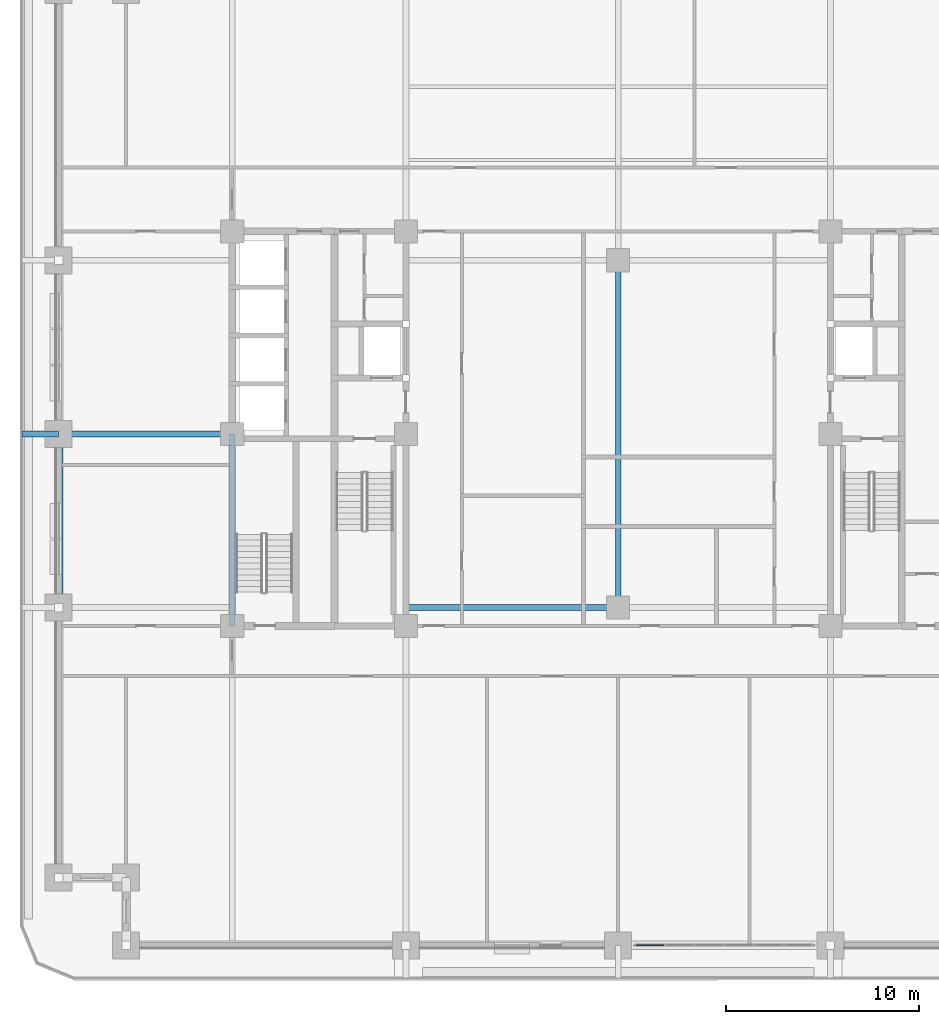
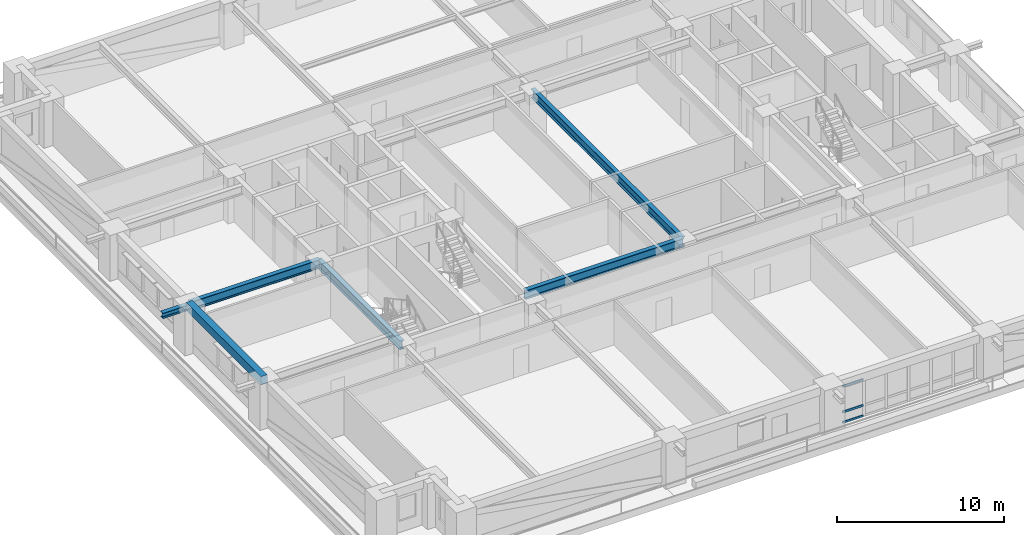
# One storey, part 3 of 20: 6 beams, 3 members, 1 element without a shape of its own.
"""IFC4 building model written with IfcOpenShell, lengths in metres."""

import ifcopenshell
import ifcopenshell.guid

model = None  # the IFC model being written
_history = None  # IfcOwnerHistory: only IFC2X3 demands one
_inside = {}  # id of a spatial element -> (the spatial element, [elements in it])
_under = {}  # id of a project, library or spatial element -> (it, [spatial elements below it])
_declared = {}  # id of a project -> (the project, [libraries it declares])
_typed = {}  # id of a type object -> (the type object, [elements of that type])
_made_of = {}  # id of a material, layer set ... -> (it, [elements and type objects made of it])


def new_model(schema):
    """Start an empty IFC model of exactly this schema.

    Asked for "IFC4X3", IfcOpenShell would pick the latest addendum, in which some entities
    have other attributes; the version numbers below select the first issue.
    IFC2X3 requires an IfcOwnerHistory on every rooted entity: one is made here for all.
    """
    global model, _history
    if schema == "IFC4X3":
        model = ifcopenshell.file(schema_version=(4, 3, 0, 0))
    else:
        model = ifcopenshell.file(schema=schema)
    _inside.clear()
    _under.clear()
    _declared.clear()
    _typed.clear()
    _made_of.clear()
    _history = None
    if model.schema == "IFC2X3":
        org = make("IfcOrganization", Name="unknown")
        user = make(
            "IfcPersonAndOrganization",
            ThePerson=make("IfcPerson", FamilyName="unknown"),
            TheOrganization=org,
        )
        app = make(
            "IfcApplication",
            ApplicationDeveloper=org,
            Version="unknown",
            ApplicationFullName="unknown",
            ApplicationIdentifier="unknown",
        )
        _history = make(
            "IfcOwnerHistory",
            OwningUser=user,
            OwningApplication=app,
            ChangeAction="ADDED",
            CreationDate=0,
        )
    return model


def make(cls, **values):
    """One entity of the class cls with the attributes given. An attribute that is None is left unset."""
    return model.create_entity(
        cls, **{name: value for name, value in values.items() if value is not None}
    )


def rooted(cls, **values):
    """An entity with a GlobalId (a new one), such as an element, a storey or a relation."""
    return make(cls, GlobalId=ifcopenshell.guid.new(), OwnerHistory=_history, **values)


def si_unit(unit_type, name, prefix=None):
    """IfcSIUnit, for example si_unit("LENGTHUNIT", "METRE", prefix="MILLI")."""
    return make("IfcSIUnit", UnitType=unit_type, Prefix=prefix, Name=name)


def assignment(units):
    """IfcUnitAssignment: the units of a project."""
    return None if units is None else make("IfcUnitAssignment", Units=units)


def point(xyz):
    """IfcCartesianPoint."""
    return None if xyz is None else make("IfcCartesianPoint", Coordinates=xyz)


def direction(xyz):
    """IfcDirection."""
    return None if xyz is None else make("IfcDirection", DirectionRatios=xyz)


def frame(location, z_axis=None, x_axis=None):
    """IfcAxis2Placement3D, a coordinate frame: its origin and axes. An axis left out is left unset."""
    return make(
        "IfcAxis2Placement3D",
        Location=point(location),
        Axis=direction(z_axis),
        RefDirection=direction(x_axis),
    )


def frame_2d(location, x_axis=None):
    """IfcAxis2Placement2D, a coordinate frame in the plane: its origin and x axis."""
    return make(
        "IfcAxis2Placement2D", Location=point(location), RefDirection=direction(x_axis)
    )


def origin():
    """The frame at (0, 0, 0) with its axes left unset."""
    return frame((0.0, 0.0, 0.0))


def origin_2d():
    """The frame at (0, 0) in the plane with its x axis left unset."""
    return frame_2d((0.0, 0.0))


def place(relative_to, where):
    """IfcLocalPlacement: puts the frame where relative to a parent placement (None: the world)."""
    return make(
        "IfcLocalPlacement", PlacementRelTo=relative_to, RelativePlacement=where
    )


def context(
    kind, dimensions, precision=None, world=None, true_north=None, identifier=None
):
    """IfcGeometricRepresentationContext, for example the 3D "Model" context."""
    return make(
        "IfcGeometricRepresentationContext",
        ContextIdentifier=identifier,
        ContextType=kind,
        CoordinateSpaceDimension=dimensions,
        Precision=precision,
        WorldCoordinateSystem=world,
        TrueNorth=true_north,
    )


def subcontext(parent, identifier, kind, view, scale=None):
    """IfcGeometricRepresentationSubContext, for example "Body" below "Model"."""
    return make(
        "IfcGeometricRepresentationSubContext",
        ContextIdentifier=identifier,
        ContextType=kind,
        ParentContext=parent,
        TargetScale=scale,
        TargetView=view,
    )


def project(units=None, contexts=None):
    """IfcProject with its units and contexts."""
    return rooted(
        "IfcProject",
        Name="project",
        RepresentationContexts=contexts,
        UnitsInContext=assignment(units),
    )


def spatial(cls, under=None, at=None, **own):
    """A site, building, storey or space (cls), placed at a placement, below another one or the project."""
    s = rooted(cls, ObjectPlacement=at, **own)
    if under is not None:
        _under.setdefault(under.id(), (under, []))[1].append(s)
    return s


def profile(cls, at=None, kind="AREA", **sizes):
    """A parametric profile (cls). Its sizes go by their IFC names, for example OverallWidth=200.0."""
    return make(cls, ProfileType=kind, Position=at, **sizes)


def rectangle(**sizes):
    """IfcRectangleProfileDef."""
    return profile("IfcRectangleProfileDef", **sizes)


def i_section(**sizes):
    """IfcIShapeProfileDef."""
    return profile("IfcIShapeProfileDef", **sizes)


def extrude(swept, where, along, depth):
    """IfcExtrudedAreaSolid: the profile swept, set in the frame where, extruded along a direction by depth."""
    return make(
        "IfcExtrudedAreaSolid",
        SweptArea=swept,
        Position=where,
        ExtrudedDirection=direction(along),
        Depth=depth,
    )


def shape(context_of_items, identifier, shape_type, items):
    """IfcShapeRepresentation: the items that make up one representation, for example the "Body"."""
    return make(
        "IfcShapeRepresentation",
        ContextOfItems=context_of_items,
        RepresentationIdentifier=identifier,
        RepresentationType=shape_type,
        Items=items,
    )


def material(Name=None, Category=None):
    """IfcMaterial."""
    return make("IfcMaterial", Name=Name, Category=Category)


def material_profile(
    of_material, cross_section, Name=None, Category=None, Priority=None
):
    """IfcMaterialProfile: a cross section and its material."""
    return make(
        "IfcMaterialProfile",
        Name=Name,
        Material=of_material,
        Profile=cross_section,
        Priority=Priority,
        Category=Category,
    )


def profile_set(profiles, Name=None, composite=None):
    """IfcMaterialProfileSet."""
    return make(
        "IfcMaterialProfileSet",
        Name=Name,
        MaterialProfiles=profiles,
        CompositeProfile=composite,
    )


def made_of(thing, what):
    """Note that an element or type object is made of a material, layer set ...; save() writes the relation."""
    if what is not None:
        _made_of.setdefault(what.id(), (what, []))[1].append(thing)
    return thing


def type_object(cls, material=None, **own):
    """A type object (cls), such as IfcWallType, which elements share."""
    return made_of(rooted(cls, **own), material)


def element(
    cls,
    number,
    at=None,
    inside=None,
    cuts=None,
    type_object=None,
    material=None,
    context=None,
    identifier="Body",
    shape_type=None,
    held_by="IfcProductDefinitionShape",
    body=None,
    shapes=None,
    **own,
):
    """One element of the class cls, such as IfcWall. Its Tag is "e" and its number.

    at: its placement. inside: the storey or other place that contains it. cuts: it is an
    opening in that element (IfcRelVoidsElement). A single representation is given by context,
    identifier, shape_type and body (its items); several are given by shapes. held_by: the class
    of the entity that holds the representations. save() writes the other relations.
    """
    e = rooted(cls, Tag="e%d" % number, ObjectPlacement=at, **own)
    if body is not None:
        shapes = [shape(context, identifier, shape_type, body)]
    if shapes is not None:
        e.Representation = make(held_by, Representations=shapes)
    if inside is not None:
        _inside.setdefault(inside.id(), (inside, []))[1].append(e)
    if cuts is not None:
        rooted(
            "IfcRelVoidsElement", RelatingBuildingElement=cuts, RelatedOpeningElement=e
        )
    if type_object is not None:
        _typed.setdefault(type_object.id(), (type_object, []))[1].append(e)
    return made_of(e, material)


def aggregate(whole, parts):
    """IfcRelAggregates: a whole, such as a stair, and the parts it consists of."""
    return rooted("IfcRelAggregates", RelatingObject=whole, RelatedObjects=parts)


def save(model, path):
    """Write the relations noted so far, then the file.

    IfcRelAggregates (storeys below a building ...), IfcRelContainedInSpatialStructure (elements
    in a storey), IfcRelDefinesByType, IfcRelAssociatesMaterial and IfcRelDeclares: one each for
    every whole, place, type object, material and project.
    """
    for whole, parts in _under.values():
        aggregate(whole, parts)
    for where, things in _inside.values():
        rooted(
            "IfcRelContainedInSpatialStructure",
            RelatedElements=things,
            RelatingStructure=where,
        )
    for kind, things in _typed.values():
        rooted("IfcRelDefinesByType", RelatedObjects=things, RelatingType=kind)
    for what, things in _made_of.values():
        rooted("IfcRelAssociatesMaterial", RelatedObjects=things, RelatingMaterial=what)
    for by, libraries in _declared.values():
        rooted("IfcRelDeclares", RelatingContext=by, RelatedDefinitions=libraries)
    model.write(path)


model = new_model("IFC4")

# Units and contexts
model_context = context("Model", 3, precision=1e-05, world=origin(), true_north=direction((0.0, 1.0)))
body_context = subcontext(model_context, "Body", "Model", "MODEL_VIEW")
ifc_project = project(units=[si_unit("LENGTHUNIT", "METRE"), si_unit("AREAUNIT", "SQUARE_METRE"), si_unit("VOLUMEUNIT", "CUBIC_METRE"), si_unit("PLANEANGLEUNIT", "RADIAN"), si_unit("MASSUNIT", "GRAM", prefix="KILO")], contexts=[model_context])

# Site, building, storey
site_placement = place(None, origin())
site = spatial("IfcSite", under=ifc_project, at=site_placement, CompositionType="ELEMENT")
building_placement = place(site_placement, origin())
building = spatial("IfcBuilding", under=site, at=building_placement, Name="Zulmaris Gate Convention Tower", CompositionType="ELEMENT")
storey_placement = place(building_placement, frame((0.0, 0.0, 71.469970703125)))
storey = spatial("IfcBuildingStorey", under=building, at=storey_placement, Name="L17", CompositionType="ELEMENT", Elevation=71.469970703125)

# Beams
ifc_material_1 = material(Name="Steel S355", Category="steel")
ifc_material_profile_1 = material_profile(ifc_material_1, i_section(OverallWidth=0.300048828125, OverallDepth=0.39990234375, WebThickness=0.013427734375, FlangeThickness=0.02392578125, FilletRadius=0.027099609375, at=origin_2d()), Name="HEB 400")
ifc_profile_set_1 = profile_set([ifc_material_profile_1], Name="Steel S355")
beam_type_1 = type_object("IfcBeamType", Name="BM-HEB400", PredefinedType="BEAM", material=ifc_profile_set_1)
beam_1_placement = place(storey_placement, frame((-30.89990234375, 0.0, 2.97998046875), z_axis=(1.0, 0.0, 0.0), x_axis=(0.0, 1.0, 0.0)))
element("IfcBeam", 1, at=beam_1_placement, inside=storey, type_object=beam_type_1, Name="L17 Beam TBRK-L17-W-+0", PredefinedType="BEAM", context=body_context, shape_type="SweptSolid", body=[
    extrude(i_section(OverallWidth=0.300048828125, OverallDepth=0.39990234375, WebThickness=0.013427734375, FlangeThickness=0.02392578125, FilletRadius=0.027099609375, at=origin_2d()), origin(), (0.0, 0.0, 1.0), 1.89990234375),
])
ifc_material_profile_2 = material_profile(ifc_material_1, i_section(OverallWidth=0.300048828125, OverallDepth=0.64990234375, WebThickness=0.01611328125, FlangeThickness=0.031005859375, FilletRadius=0.027099609375, at=origin_2d()), Name="HEB 650")
ifc_profile_set_2 = profile_set([ifc_material_profile_2], Name="Steel S355")
beam_type_2 = type_object("IfcBeamType", Name="BM-HEB650", PredefinedType="BEAM", material=ifc_profile_set_2)
beam_2_placement = place(storey_placement, frame((-11.0, -9.0, 2.992919921875), z_axis=(1.0, 0.0, 0.0), x_axis=(0.0, 1.0, 0.0)))
element("IfcBeam", 2, at=beam_2_placement, inside=storey, type_object=beam_type_2, Name="L17 Beam BM-L17-G01", PredefinedType="BEAM", context=body_context, shape_type="SweptSolid", body=[
    extrude(i_section(OverallWidth=0.300048828125, OverallDepth=0.64990234375, WebThickness=0.01611328125, FlangeThickness=0.031005859375, FilletRadius=0.027099609375, at=origin_2d()), origin(), (0.0, 0.0, 1.0), 11.0),
])
beam_3_placement = place(storey_placement, frame((0.0, -9.0, 2.992919921875), z_axis=(0.0, 1.0, 0.0), x_axis=(-1.0, 0.0, 0.0)))
element("IfcBeam", 3, at=beam_3_placement, inside=storey, type_object=beam_type_2, Name="L17 Beam BM-L17-G06", PredefinedType="BEAM", context=body_context, shape_type="SweptSolid", body=[
    extrude(i_section(OverallWidth=0.300048828125, OverallDepth=0.64990234375, WebThickness=0.01611328125, FlangeThickness=0.031005859375, FilletRadius=0.027099609375, at=origin_2d()), origin(), (0.0, 0.0, 1.0), 18.0),
])
beam_4_placement = place(storey_placement, frame((-29.0, 0.0, 2.992919921875), z_axis=(1.0, 0.0, 0.0), x_axis=(0.0, 1.0, 0.0)))
element("IfcBeam", 4, at=beam_4_placement, inside=storey, type_object=beam_type_2, Name="L17 Beam BM-L17-G17", PredefinedType="BEAM", context=body_context, shape_type="SweptSolid", body=[
    extrude(i_section(OverallWidth=0.300048828125, OverallDepth=0.64990234375, WebThickness=0.01611328125, FlangeThickness=0.031005859375, FilletRadius=0.027099609375, at=origin_2d()), origin(), (0.0, 0.0, 1.0), 9.0),
])
beam_5_placement = place(storey_placement, frame((-20.0, -9.949951171875, 2.992919921875), z_axis=(0.0, 1.0, 0.0), x_axis=(-1.0, 0.0, 0.0)))
element("IfcBeam", 5, at=beam_5_placement, inside=storey, type_object=beam_type_2, Name="L17 Beam BM-L17-G26", PredefinedType="BEAM", context=body_context, shape_type="SweptSolid", body=[
    extrude(i_section(OverallWidth=0.300048828125, OverallDepth=0.64990234375, WebThickness=0.01611328125, FlangeThickness=0.031005859375, FilletRadius=0.027099609375, at=origin_2d()), origin(), (0.0, 0.0, 1.0), 9.949951171875),
])
ifc_material_2 = material(Name="Precast concrete C50/60", Category="concrete")
ifc_material_profile_3 = material_profile(ifc_material_2, rectangle(XDim=0.449951171875, YDim=0.60009765625, at=origin_2d()), Name="RC SPANDREL 450x600")
ifc_profile_set_3 = profile_set([ifc_material_profile_3], Name="Precast concrete C50/60")
beam_type_3 = type_object("IfcBeamType", Name="BM-SP450x600", PredefinedType="SPANDREL", material=ifc_profile_set_3)
beam_6_placement = place(storey_placement, frame((-29.0, 0.0, 3.02001953125), z_axis=(0.0, -1.0, 0.0), x_axis=(1.0, 0.0, 0.0)))
element("IfcBeam", 6, at=beam_6_placement, inside=storey, type_object=beam_type_3, Name="L17 Spandrel SP-L17-21", PredefinedType="SPANDREL", context=body_context, shape_type="SweptSolid", body=[
    extrude(rectangle(XDim=0.449951171875, YDim=0.60009765625, at=origin_2d()), origin(), (0.0, 0.0, 1.0), 9.0),
])

# Curtain wall, members
ifc_material_3 = material(Name="Anodised Aluminium", Category="aluminium")
curtain_wall_type = type_object("IfcCurtainWallType", Name="CW-05", PredefinedType="NOTDEFINED", material=ifc_material_3)
curtain_wall_placement = place(storey_placement, origin())
curtain_wall = element("IfcCurtainWall", 7, at=curtain_wall_placement, inside=storey, type_object=curtain_wall_type, Name="CW-05 CW05-L17-S-2_0", PredefinedType="NOTDEFINED")
ifc_material_profile_4 = material_profile(ifc_material_3, rectangle(XDim=0.074951171875, YDim=0.14990234375, at=origin_2d()), Name="ALU TRANSOM 75x150")
ifc_profile_set_4 = profile_set([ifc_material_profile_4], Name="Anodised Aluminium")
member_type = type_object("IfcMemberType", Name="CW-05-TRAN", PredefinedType="USERDEFINED", material=ifc_profile_set_4)
member_1_placement = place(storey_placement, frame((0.93505859375, -26.5, 0.03759765625), z_axis=(1.0, 0.0, 0.0), x_axis=(0.0, 1.0, 0.0)))
member_1 = element("IfcMember", 8, at=member_1_placement, type_object=member_type, Name="CW-05 transom 1.1", ObjectType="TRANSOM", PredefinedType="USERDEFINED", context=body_context, shape_type="SweptSolid", body=[
    extrude(rectangle(XDim=0.074951171875, YDim=0.14990234375, at=origin_2d()), origin(), (0.0, 0.0, 1.0), 1.43408203125),
])
member_2_placement = place(storey_placement, frame((0.93505859375, -26.5, 0.800048828125), z_axis=(1.0, 0.0, 0.0), x_axis=(0.0, 1.0, 0.0)))
member_2 = element("IfcMember", 9, at=member_2_placement, type_object=member_type, Name="CW-05 transom 1.2", ObjectType="TRANSOM", PredefinedType="USERDEFINED", context=body_context, shape_type="SweptSolid", body=[
    extrude(rectangle(XDim=0.074951171875, YDim=0.14990234375, at=origin_2d()), origin(), (0.0, 0.0, 1.0), 1.43408203125),
])
member_3_placement = place(storey_placement, frame((0.93505859375, -26.5, 2.674560546875), z_axis=(1.0, 0.0, 0.0), x_axis=(0.0, 1.0, 0.0)))
member_3 = element("IfcMember", 10, at=member_3_placement, type_object=member_type, Name="CW-05 transom 1.3", ObjectType="TRANSOM", PredefinedType="USERDEFINED", context=body_context, shape_type="SweptSolid", body=[
    extrude(rectangle(XDim=0.074951171875, YDim=0.14990234375, at=origin_2d()), origin(), (0.0, 0.0, 1.0), 1.43408203125),
])
aggregate(curtain_wall, [member_1, member_2, member_3])

save(model, "model.ifc")
